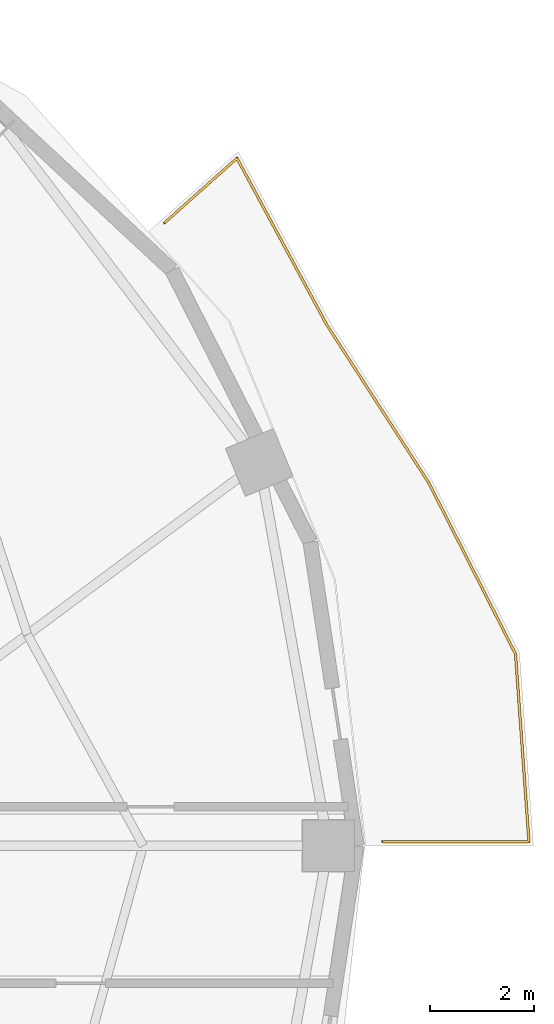
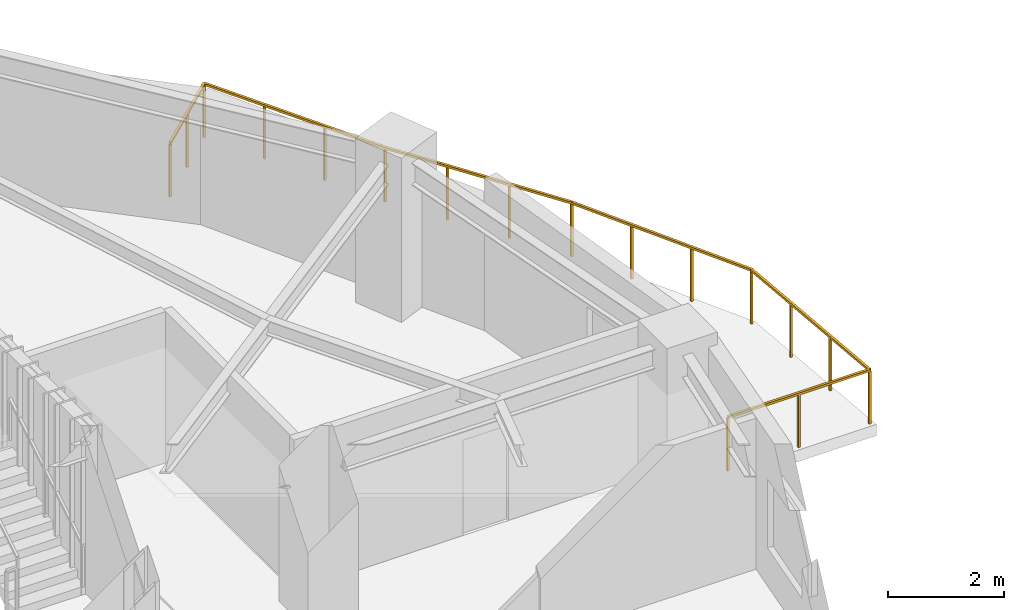
# One storey, part 9 of 9: 1 railing.
"""IFC4 building model written with IfcOpenShell, lengths in metres."""

from ifc_helpers import new_model, si_unit, direction, frame, origin, origin_2d, place, context, subcontext, project, spatial, rectangle, extrude, material, type_object, element, save


model = new_model("IFC4")

# Units and contexts
model_context = context("Model", 3, precision=1e-05, world=origin(), true_north=direction((0.0, 1.0)))
body_context = subcontext(model_context, "Body", "Model", "MODEL_VIEW")
ifc_project = project(units=[si_unit("LENGTHUNIT", "METRE"), si_unit("AREAUNIT", "SQUARE_METRE"), si_unit("VOLUMEUNIT", "CUBIC_METRE"), si_unit("PLANEANGLEUNIT", "RADIAN"), si_unit("MASSUNIT", "GRAM", prefix="KILO")], contexts=[model_context])

# Site, building, storey
site_placement = place(None, origin())
site = spatial("IfcSite", under=ifc_project, at=site_placement, CompositionType="ELEMENT")
building_placement = place(site_placement, origin())
building = spatial("IfcBuilding", under=site, at=building_placement, Name="Haldorwick Loom Tower", CompositionType="ELEMENT")
storey_placement = place(building_placement, frame((0.0, 0.0, 244.35009765625)))
storey = spatial("IfcBuildingStorey", under=building, at=storey_placement, Name="L66", CompositionType="ELEMENT", Elevation=244.35009765625)

# Railing
ifc_material = material(Name="Galvanized Steel CSA G40.21 350W", Category="steel")
railing_type = type_object("IfcRailingType", Name="ARC-RLG-BAL115", PredefinedType="BALUSTRADE", material=ifc_material)
railing_placement = place(storey_placement, frame((57.17919921875, 38.003173828125, 0.0)))
element("IfcRailing", 1, at=railing_placement, inside=storey, type_object=railing_type, Name="L66 Outdoor Terrace Guardrail SLB-L66-BAL_ENE-1", PredefinedType="BALUSTRADE", context=body_context, shape_type="SweptSolid", body=[
    extrude(rectangle(XDim=0.048095703125, YDim=0.048095703125, at=origin_2d()), frame((0.0, 0.0, 1.1259765625), z_axis=(0.745988621114, 0.665958690287, 0.0), x_axis=(-0.665958690287, 0.745988621114, 0.0)), (0.0, 0.0, 1.0), 1.8701171875),
    extrude(rectangle(XDim=0.048095703125, YDim=0.048095703125, at=origin_2d()), frame((1.39501953125, 1.245361328125, 1.1259765625), z_axis=(0.474672609217, -0.880162436178, 0.0), x_axis=(0.880162436178, 0.474672609217, 0.0)), (0.0, 0.0, 1.0), 3.659423828125),
    extrude(rectangle(XDim=0.048095703125, YDim=0.048095703125, at=origin_2d()), frame((3.132080078125, -1.9755859375, 1.1259765625), z_axis=(0.536875492193, -0.843661487732, 0.0), x_axis=(0.843661487732, 0.536875492193, 0.0)), (0.0, 0.0, 1.0), 0.00634765625),
    extrude(rectangle(XDim=0.048095703125, YDim=0.048095703125, at=origin_2d()), frame((3.135498046875, -1.98095703125, 1.1259765625), z_axis=(0.5425065035, -0.840051601784, 0.0), x_axis=(0.840051601784, 0.5425065035, 0.0)), (0.0, 0.0, 1.0), 3.602783203125),
    extrude(rectangle(XDim=0.048095703125, YDim=0.048095703125, at=origin_2d()), frame((5.090087890625, -5.007568359375, 1.1259765625), z_axis=(0.452144789899, -0.891944554873, 0.0), x_axis=(0.891944554873, 0.452144789899, 0.0)), (0.0, 0.0, 1.0), 3.6982421875),
    extrude(rectangle(XDim=0.048095703125, YDim=0.048095703125, at=origin_2d()), frame((6.76220703125, -8.30615234375, 1.1259765625), z_axis=(0.071567614101, -0.997435750618, 0.0), x_axis=(0.997435750618, 0.071567614101, 0.0)), (0.0, 0.0, 1.0), 3.626220703125),
    extrude(rectangle(XDim=0.048095703125, YDim=0.048095703125, at=origin_2d()), frame((7.021728515625, -11.923095703125, 1.1259765625), z_axis=(-1.0, 0.0, 0.0), x_axis=(0.0, -1.0, 0.0)), (0.0, 0.0, 1.0), 2.821044921875),
    extrude(rectangle(XDim=0.0419921875, YDim=0.0419921875, at=origin_2d()), origin(), (0.0, 0.0, 1.0), 1.101806640625),
    extrude(rectangle(XDim=0.0419921875, YDim=0.0419921875, at=origin_2d()), frame((0.697509765625, 0.62255859375, 0.0)), (0.0, 0.0, 1.0), 1.101806640625),
    extrude(rectangle(XDim=0.0419921875, YDim=0.0419921875, at=origin_2d()), frame((1.39501953125, 1.245361328125, 0.0)), (0.0, 0.0, 1.0), 1.101806640625),
    extrude(rectangle(XDim=0.0419921875, YDim=0.0419921875, at=origin_2d()), frame((1.97412109375, 0.171630859375, 0.0)), (0.0, 0.0, 1.0), 1.101806640625),
    extrude(rectangle(XDim=0.0419921875, YDim=0.0419921875, at=origin_2d()), frame((2.552978515625, -0.90185546875, 0.0)), (0.0, 0.0, 1.0), 1.101806640625),
    extrude(rectangle(XDim=0.0419921875, YDim=0.0419921875, at=origin_2d()), frame((3.132080078125, -1.9755859375, 0.0)), (0.0, 0.0, 1.0), 1.101806640625),
    extrude(rectangle(XDim=0.0419921875, YDim=0.0419921875, at=origin_2d()), frame((3.787109375, -2.98974609375, 0.0)), (0.0, 0.0, 1.0), 1.101806640625),
    extrude(rectangle(XDim=0.0419921875, YDim=0.0419921875, at=origin_2d()), frame((4.4384765625, -3.998779296875, 0.0)), (0.0, 0.0, 1.0), 1.101806640625),
    extrude(rectangle(XDim=0.0419921875, YDim=0.0419921875, at=origin_2d()), frame((5.090087890625, -5.007568359375, 0.0)), (0.0, 0.0, 1.0), 1.101806640625),
    extrude(rectangle(XDim=0.0419921875, YDim=0.0419921875, at=origin_2d()), frame((5.6474609375, -6.107177734375, 0.0)), (0.0, 0.0, 1.0), 1.101806640625),
    extrude(rectangle(XDim=0.0419921875, YDim=0.0419921875, at=origin_2d()), frame((6.204833984375, -7.20654296875, 0.0)), (0.0, 0.0, 1.0), 1.101806640625),
    extrude(rectangle(XDim=0.0419921875, YDim=0.0419921875, at=origin_2d()), frame((6.76220703125, -8.30615234375, 0.0)), (0.0, 0.0, 1.0), 1.101806640625),
    extrude(rectangle(XDim=0.0419921875, YDim=0.0419921875, at=origin_2d()), frame((6.8486328125, -9.51171875, 0.0)), (0.0, 0.0, 1.0), 1.101806640625),
    extrude(rectangle(XDim=0.0419921875, YDim=0.0419921875, at=origin_2d()), frame((6.935302734375, -10.717529296875, 0.0)), (0.0, 0.0, 1.0), 1.101806640625),
    extrude(rectangle(XDim=0.0419921875, YDim=0.0419921875, at=origin_2d()), frame((7.021728515625, -11.923095703125, 0.0)), (0.0, 0.0, 1.0), 1.101806640625),
    extrude(rectangle(XDim=0.0419921875, YDim=0.0419921875, at=origin_2d()), frame((5.611328125, -11.923095703125, 0.0)), (0.0, 0.0, 1.0), 1.101806640625),
    extrude(rectangle(XDim=0.0419921875, YDim=0.0419921875, at=origin_2d()), frame((4.20068359375, -11.923095703125, 0.0)), (0.0, 0.0, 1.0), 1.101806640625),
])

save(model, "model.ifc")
